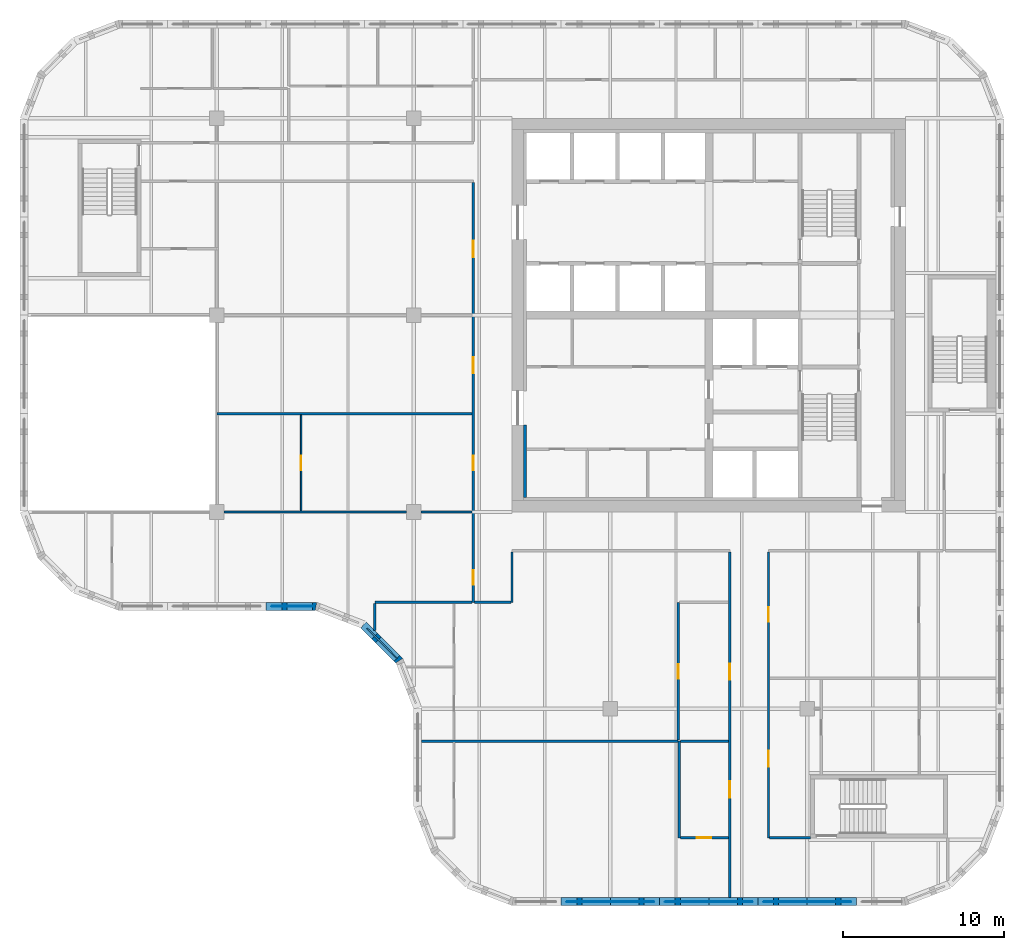
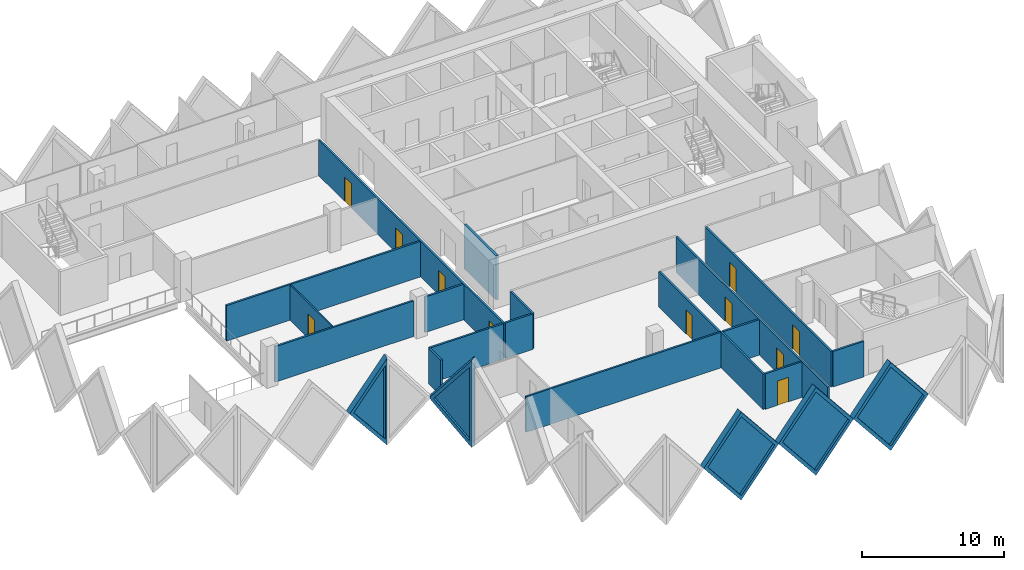
# One storey, part 4 of 12: 23 walls, 11 doors, 5 plates, 16 openings.
"""IFC4 building model written with IfcOpenShell, lengths in metres."""

from ifc_helpers import new_model, si_unit, direction, frame, frame_2d, origin, place, context, subcontext, project, spatial, polyline, rectangle, outline, extrude, faceted_brep, source, transform, mapped, material, layer, layer_set, type_object, element, fill, save


model = new_model("IFC4")

# Units and contexts
model_context = context("Model", 3, precision=1e-05, world=origin(), true_north=direction((0.0, 1.0)))
body_context = subcontext(model_context, "Body", "Model", "MODEL_VIEW")
ifc_project = project(units=[si_unit("LENGTHUNIT", "METRE"), si_unit("AREAUNIT", "SQUARE_METRE"), si_unit("VOLUMEUNIT", "CUBIC_METRE"), si_unit("PLANEANGLEUNIT", "RADIAN"), si_unit("MASSUNIT", "GRAM", prefix="KILO")], contexts=[model_context])

# Site, building, storey
site_placement = place(None, origin())
site = spatial("IfcSite", under=ifc_project, at=site_placement, CompositionType="ELEMENT")
building_placement = place(site_placement, origin())
building = spatial("IfcBuilding", under=site, at=building_placement, Name="Tessera Gate Towers", CompositionType="ELEMENT")
storey_placement = place(building_placement, frame((0.0, 0.0, 143.0)))
storey = spatial("IfcBuildingStorey", under=building, at=storey_placement, Name="L35", CompositionType="ELEMENT", Elevation=143.0)

# Wall
ifc_material_1 = material(Name="Concrete C60/75", Category="concrete")
ifc_layer_1 = layer(ifc_material_1, 0.199951171875)
ifc_layer_set_1 = layer_set([ifc_layer_1], Name="CORE WALL THICKENING 200")
wall_type_1 = type_object("IfcWallType", Name="CORE WALL THICKENING 200", PredefinedType="SOLIDWALL", material=ifc_layer_set_1)
wall_1_placement = place(storey_placement, frame((31.300048828125, 25.300048828125, 0.0), z_axis=(0.0, 0.0, 1.0), x_axis=(0.0, 1.0, 0.0)))
element("IfcWall", 1, at=wall_1_placement, inside=storey, type_object=wall_type_1, Name="Core wall thickening W L35", PredefinedType="SOLIDWALL", context=body_context, shape_type="SweptSolid", body=[
    extrude(rectangle(XDim=4.5, YDim=0.199951171875, at=frame_2d((2.25, 0.0))), origin(), (0.0, 0.0, 1.0), 3.800048828125),
])

# Wall, openings, doors
ifc_material_2 = material(Name="Gypsum board on steel studs, mineral wool", Category="steel")
ifc_layer_2 = layer(ifc_material_2, 0.14990234375)
ifc_layer_set_2 = layer_set([ifc_layer_2], Name="CORRIDOR WALL 150")
wall_type_2 = type_object("IfcWallType", Name="CORRIDOR WALL 150", PredefinedType="PARTITIONING", material=ifc_layer_set_2)
wall_2_placement = place(storey_placement, frame((44.0, 0.5, 0.0), z_axis=(0.0, 0.0, 1.0), x_axis=(0.0, 1.0, 0.0)))
wall_2 = element("IfcWall", 2, at=wall_2_placement, inside=storey, type_object=wall_type_2, Name="T1-L35-PW-001", PredefinedType="PARTITIONING", context=body_context, shape_type="SweptSolid", body=[
    extrude(rectangle(XDim=21.424072265625, YDim=0.14990234375, at=frame_2d((10.7119140625, 0.0))), origin(), (0.0, 0.0, 1.0), 3.06689453125),
])
shared_shape_1 = source(origin(), body_context, "Body", "SweptSolid", [
    extrude(rectangle(XDim=1.0, YDim=2.10009765625, at=frame_2d((0.5, 1.050048828125))), frame((0.0, 0.0849609375, 0.0), z_axis=(0.0, -1.0, 0.0), x_axis=(1.0, 0.0, 0.0)), (0.0, 0.0, 1.0), 0.169921875),
])
opening_1_placement = place(wall_2_placement, frame((6.199951171875, 0.0, 0.0)))
opening_1 = element("IfcOpeningElement", 3, at=opening_1_placement, cuts=wall_2, Name="Opening D2100FD60-A13-02", PredefinedType="OPENING", context=body_context, shape_type="MappedRepresentation", body=[
    mapped(shared_shape_1, transform((0.0, 0.0, 0.0), scale=1.0)),
])
opening_2_placement = place(wall_2_placement, frame((13.5, 0.0, 0.0)))
opening_2 = element("IfcOpeningElement", 4, at=opening_2_placement, cuts=wall_2, Name="Opening D2100FD60-A13-05", PredefinedType="OPENING", context=body_context, shape_type="MappedRepresentation", body=[
    mapped(shared_shape_1, transform((0.0, 0.0, 0.0), scale=1.0)),
])
ifc_material_3 = material(Name="Timber door leaf in steel frame", Category="steel")
door_type_1 = type_object("IfcDoorType", Name="TENANCY ENTRANCE DOOR 1000 FD60", OperationType="NOTDEFINED", PredefinedType="DOOR", material=ifc_material_3)
shared_shape_2 = source(origin(), body_context, "Body", "SweptSolid", [
    extrude(rectangle(XDim=1.0, YDim=2.10009765625, at=frame_2d((0.5, 1.050048828125))), frame((0.0, 0.02490234375, 0.0), z_axis=(0.0, -1.0, 0.0), x_axis=(1.0, 0.0, 0.0)), (0.0, 0.0, 1.0), 0.050048828125),
])
door_1_placement = place(opening_1_placement, origin())
door_1 = element("IfcDoor", 5, at=door_1_placement, inside=storey, type_object=door_type_1, Name="T1-L35-PD-014", OperationType="SINGLE_SWING_LEFT", OverallHeight=2.10009765625, OverallWidth=1.0, PredefinedType="DOOR", context=body_context, shape_type="MappedRepresentation", body=[
    mapped(shared_shape_2, transform((0.0, 0.0, 0.0), scale=1.0)),
])
fill(opening_1, door_1)
door_2_placement = place(opening_2_placement, origin())
door_2 = element("IfcDoor", 6, at=door_2_placement, inside=storey, type_object=door_type_1, Name="T1-L35-PD-022", OperationType="SINGLE_SWING_LEFT", OverallHeight=2.10009765625, OverallWidth=1.0, PredefinedType="DOOR", context=body_context, shape_type="MappedRepresentation", body=[
    mapped(shared_shape_2, transform((0.0, 0.0, 0.0), scale=1.0)),
])
fill(opening_2, door_2)

wall_3_placement = place(storey_placement, frame((46.39990234375, 21.924072265625, 0.0), z_axis=(0.0, 0.0, 1.0), x_axis=(0.0, -1.0, 0.0)))
wall_3 = element("IfcWall", 7, at=wall_3_placement, inside=storey, type_object=wall_type_2, Name="T1-L35-PW-007", PredefinedType="PARTITIONING", context=body_context, shape_type="SweptSolid", body=[
    extrude(rectangle(XDim=17.72412109375, YDim=0.14990234375, at=frame_2d((8.862060546875, 0.0))), origin(), (0.0, 0.0, 1.0), 3.06689453125),
])
shared_shape_3 = source(origin(), body_context, "Body", "SweptSolid", [
    extrude(rectangle(XDim=0.89990234375, YDim=2.10009765625, at=frame_2d((0.449951171875, 1.050048828125))), frame((0.0, 0.0849609375, 0.0), z_axis=(0.0, -1.0, 0.0), x_axis=(1.0, 0.0, 0.0)), (0.0, 0.0, 1.0), 0.169921875),
])
opening_3_placement = place(wall_3_placement, frame((3.423095703125, 0.0, 0.0)))
opening_3 = element("IfcOpeningElement", 8, at=opening_3_placement, cuts=wall_3, Name="Opening D890FD60-A13-03", PredefinedType="OPENING", context=body_context, shape_type="MappedRepresentation", body=[
    mapped(shared_shape_3, transform((0.0, 0.0, 0.0), scale=1.0)),
])
opening_4_placement = place(wall_3_placement, frame((12.323974609375, 0.0, 0.0)))
opening_4 = element("IfcOpeningElement", 9, at=opening_4_placement, cuts=wall_3, Name="Opening D2100FD60-A13-06", PredefinedType="OPENING", context=body_context, shape_type="MappedRepresentation", body=[
    mapped(shared_shape_1, transform((0.0, 0.0, 0.0), scale=1.0)),
])
ifc_material_4 = material(Name="Timber door leaf in steel frame", Category="steel")
door_type_2 = type_object("IfcDoorType", Name="CORRIDOR DOOR 900 FD60", OperationType="NOTDEFINED", PredefinedType="DOOR", material=ifc_material_4)
shared_shape_4 = source(origin(), body_context, "Body", "SweptSolid", [
    extrude(rectangle(XDim=0.89990234375, YDim=2.10009765625, at=frame_2d((0.449951171875, 1.050048828125))), frame((0.0, 0.02490234375, 0.0), z_axis=(0.0, -1.0, 0.0), x_axis=(1.0, 0.0, 0.0)), (0.0, 0.0, 1.0), 0.050048828125),
])
door_3_placement = place(opening_3_placement, origin())
door_3 = element("IfcDoor", 10, at=door_3_placement, inside=storey, type_object=door_type_2, Name="T1-L35-PD-019", OperationType="SINGLE_SWING_RIGHT", OverallHeight=2.10009765625, OverallWidth=0.89990234375, PredefinedType="DOOR", context=body_context, shape_type="MappedRepresentation", body=[
    mapped(shared_shape_4, transform((0.0, 0.0, 0.0), scale=1.0)),
])
fill(opening_3, door_3)
door_4_placement = place(opening_4_placement, origin())
door_4 = element("IfcDoor", 11, at=door_4_placement, inside=storey, type_object=door_type_1, Name="T1-L35-PD-025", OperationType="SINGLE_SWING_RIGHT", OverallHeight=2.10009765625, OverallWidth=1.0, PredefinedType="DOOR", context=body_context, shape_type="MappedRepresentation", body=[
    mapped(shared_shape_2, transform((0.0, 0.0, 0.0), scale=1.0)),
])
fill(opening_4, door_4)

# Wall
wall_4_placement = place(storey_placement, frame((46.47607421875, 4.199951171875, 0.0), z_axis=(0.0, 0.0, 1.0), x_axis=(1.0, 0.0, 0.0)))
element("IfcWall", 12, at=wall_4_placement, inside=storey, type_object=wall_type_2, Name="T1-L35-PW-008", PredefinedType="PARTITIONING", context=body_context, shape_type="SweptSolid", body=[
    extrude(rectangle(XDim=2.52392578125, YDim=0.14990234375, at=frame_2d((1.261962890625, 0.0))), origin(), (0.0, 0.0, 1.0), 3.06689453125),
])

# Wall, openings, doors
wall_5_placement = place(storey_placement, frame((28.10009765625, 18.800048828125, 0.0), z_axis=(0.0, 0.0, 1.0), x_axis=(0.0, 1.0, 0.0)))
wall_5 = element("IfcWall", 13, at=wall_5_placement, inside=storey, type_object=wall_type_2, Name="T1-L35-PW-022", PredefinedType="PARTITIONING", context=body_context, shape_type="SweptSolid", body=[
    extrude(rectangle(XDim=26.02392578125, YDim=0.14990234375, at=frame_2d((13.011962890625, 0.0))), origin(), (0.0, 0.0, 1.0), 3.06689453125),
])
opening_5_placement = place(wall_5_placement, frame((1.10009765625, 0.0, 0.0)))
opening_5 = element("IfcOpeningElement", 14, at=opening_5_placement, cuts=wall_5, Name="Opening D890FD60-A13-01", PredefinedType="OPENING", context=body_context, shape_type="MappedRepresentation", body=[
    mapped(shared_shape_3, transform((0.0, 0.0, 0.0), scale=1.0)),
])
opening_6_placement = place(wall_5_placement, frame((14.200927734375, 0.0, 0.0)))
opening_6 = element("IfcOpeningElement", 15, at=opening_6_placement, cuts=wall_5, Name="Opening D2100FD60-A13-03", PredefinedType="OPENING", context=body_context, shape_type="MappedRepresentation", body=[
    mapped(shared_shape_1, transform((0.0, 0.0, 0.0), scale=1.0)),
])
opening_7_placement = place(wall_5_placement, frame((8.199951171875, 0.0, 0.0)))
opening_7 = element("IfcOpeningElement", 16, at=opening_7_placement, cuts=wall_5, Name="Opening D890FD60-A13-02", PredefinedType="OPENING", context=body_context, shape_type="MappedRepresentation", body=[
    mapped(shared_shape_3, transform((0.0, 0.0, 0.0), scale=1.0)),
])
opening_8_placement = place(wall_5_placement, frame((21.39990234375, 0.0, 0.0)))
opening_8 = element("IfcOpeningElement", 17, at=opening_8_placement, cuts=wall_5, Name="Opening D2100FD60-A13-04", PredefinedType="OPENING", context=body_context, shape_type="MappedRepresentation", body=[
    mapped(shared_shape_1, transform((0.0, 0.0, 0.0), scale=1.0)),
])
door_5_placement = place(opening_5_placement, origin())
door_5 = element("IfcDoor", 18, at=door_5_placement, inside=storey, type_object=door_type_2, Name="T1-L35-PD-001", OperationType="SINGLE_SWING_LEFT", OverallHeight=2.10009765625, OverallWidth=0.89990234375, PredefinedType="DOOR", context=body_context, shape_type="MappedRepresentation", body=[
    mapped(shared_shape_4, transform((0.0, 0.0, 0.0), scale=1.0)),
])
fill(opening_5, door_5)
door_6_placement = place(opening_7_placement, origin())
door_6 = element("IfcDoor", 19, at=door_6_placement, inside=storey, type_object=door_type_2, Name="T1-L35-PD-016", OperationType="SINGLE_SWING_LEFT", OverallHeight=2.10009765625, OverallWidth=0.89990234375, PredefinedType="DOOR", context=body_context, shape_type="MappedRepresentation", body=[
    mapped(shared_shape_4, transform((0.0, 0.0, 0.0), scale=1.0)),
])
fill(opening_7, door_6)
door_7_placement = place(opening_6_placement, origin())
door_7 = element("IfcDoor", 20, at=door_7_placement, inside=storey, type_object=door_type_1, Name="T1-L35-PD-015", OperationType="SINGLE_SWING_LEFT", OverallHeight=2.10009765625, OverallWidth=1.0, PredefinedType="DOOR", context=body_context, shape_type="MappedRepresentation", body=[
    mapped(shared_shape_2, transform((0.0, 0.0, 0.0), scale=1.0)),
])
fill(opening_6, door_7)
door_8_placement = place(opening_8_placement, origin())
door_8 = element("IfcDoor", 21, at=door_8_placement, inside=storey, type_object=door_type_1, Name="T1-L35-PD-020", OperationType="SINGLE_SWING_LEFT", OverallHeight=2.10009765625, OverallWidth=1.0, PredefinedType="DOOR", context=body_context, shape_type="MappedRepresentation", body=[
    mapped(shared_shape_2, transform((0.0, 0.0, 0.0), scale=1.0)),
])
fill(opening_8, door_8)

# Walls
wall_6_placement = place(storey_placement, frame((28.176025390625, 18.800048828125, 0.0), z_axis=(0.0, 0.0, 1.0), x_axis=(1.0, 0.0, 0.0)))
element("IfcWall", 22, at=wall_6_placement, inside=storey, type_object=wall_type_2, Name="T1-L35-PW-023", PredefinedType="PARTITIONING", context=body_context, shape_type="SweptSolid", body=[
    extrude(rectangle(XDim=2.248046875, YDim=0.14990234375, at=frame_2d((1.1240234375, 0.0))), origin(), (0.0, 0.0, 1.0), 3.06689453125),
])
wall_7_placement = place(storey_placement, frame((30.5, 18.800048828125, 0.0), z_axis=(0.0, 0.0, 1.0), x_axis=(0.0, 1.0, 0.0)))
element("IfcWall", 23, at=wall_7_placement, inside=storey, type_object=wall_type_2, Name="T1-L35-PW-024", PredefinedType="PARTITIONING", context=body_context, shape_type="SweptSolid", body=[
    extrude(rectangle(XDim=3.1240234375, YDim=0.14990234375, at=frame_2d((1.56201171875, 0.0))), origin(), (0.0, 0.0, 1.0), 3.06689453125),
])

# Wall, opening, door
ifc_material_5 = material(Name="Gypsum board on steel studs", Category="steel")
ifc_layer_3 = layer(ifc_material_5, 0.10009765625)
ifc_layer_set_3 = layer_set([ifc_layer_3], Name="PARTITION 100")
wall_type_3 = type_object("IfcWallType", Name="PARTITION 100", PredefinedType="PARTITIONING", material=ifc_layer_set_3)
wall_8_placement = place(storey_placement, frame((17.425048828125, 24.47607421875, 0.0), z_axis=(0.0, 0.0, 1.0), x_axis=(0.0, 1.0, 0.0)))
wall_8 = element("IfcWall", 24, at=wall_8_placement, inside=storey, type_object=wall_type_3, Name="T1-L35-PW-033", PredefinedType="PARTITIONING", context=body_context, shape_type="SweptSolid", body=[
    extrude(rectangle(XDim=5.947998046875, YDim=0.10009765625, at=frame_2d((2.97412109375, 0.0))), origin(), (0.0, 0.0, 1.0), 3.06689453125),
])
shared_shape_5 = source(origin(), body_context, "Body", "SweptSolid", [
    extrude(rectangle(XDim=0.89990234375, YDim=2.10009765625, at=frame_2d((0.449951171875, 1.050048828125))), frame((0.0, 0.06005859375, 0.0), z_axis=(0.0, -1.0, 0.0), x_axis=(1.0, 0.0, 0.0)), (0.0, 0.0, 1.0), 0.1201171875),
])
opening_9_placement = place(wall_8_placement, frame((2.5, 0.0, 0.0)))
opening_9 = element("IfcOpeningElement", 25, at=opening_9_placement, cuts=wall_8, Name="Opening D190-A13-08", PredefinedType="OPENING", context=body_context, shape_type="MappedRepresentation", body=[
    mapped(shared_shape_5, transform((0.0, 0.0, 0.0), scale=1.0)),
])
ifc_material_6 = material(Name="Timber door leaf in steel frame", Category="steel")
door_type_3 = type_object("IfcDoorType", Name="INTERNAL DOOR 900 NOT RATED", OperationType="NOTDEFINED", PredefinedType="DOOR", material=ifc_material_6)
door_9_placement = place(opening_9_placement, origin())
door_9 = element("IfcDoor", 26, at=door_9_placement, inside=storey, type_object=door_type_3, Name="T1-L35-PD-013", OperationType="SINGLE_SWING_LEFT", OverallHeight=2.10009765625, OverallWidth=0.89990234375, PredefinedType="DOOR", context=body_context, shape_type="MappedRepresentation", body=[
    mapped(shared_shape_4, transform((0.0, 0.0, 0.0), scale=1.0)),
])
fill(opening_9, door_9)

# Wall
ifc_material_7 = material(Name="Gypsum board on steel studs, mineral wool", Category="steel")
ifc_layer_4 = layer(ifc_material_7, 0.14990234375)
ifc_layer_set_4 = layer_set([ifc_layer_4], Name="TENANCY WALL 150")
wall_type_4 = type_object("IfcWallType", Name="TENANCY WALL 150", PredefinedType="PARTITIONING", material=ifc_layer_set_4)
wall_9_placement = place(storey_placement, frame((40.875, 4.199951171875, 0.0), z_axis=(0.0, 0.0, 1.0), x_axis=(0.0, 1.0, 0.0)))
element("IfcWall", 27, at=wall_9_placement, inside=storey, type_object=wall_type_4, Name="T1-L35-PW-005", PredefinedType="PARTITIONING", context=body_context, shape_type="SweptSolid", body=[
    extrude(rectangle(XDim=6.0, YDim=0.14990234375, at=frame_2d((3.0, 0.0))), origin(), (0.0, 0.0, 1.0), 3.06689453125),
])

# Wall, opening, door
wall_10_placement = place(storey_placement, frame((43.924072265625, 4.199951171875, 0.0), z_axis=(0.0, 0.0, 1.0), x_axis=(-1.0, 0.0, 0.0)))
wall_10 = element("IfcWall", 28, at=wall_10_placement, inside=storey, type_object=wall_type_4, Name="T1-L35-PW-006", PredefinedType="PARTITIONING", context=body_context, shape_type="SweptSolid", body=[
    extrude(rectangle(XDim=2.97314453125, YDim=0.14990234375, at=frame_2d((1.486572265625, 0.0))), origin(), (0.0, 0.0, 1.0), 3.06689453125),
])
opening_10_placement = place(wall_10_placement, frame((1.072998046875, 0.0, 0.0)))
opening_10 = element("IfcOpeningElement", 29, at=opening_10_placement, cuts=wall_10, Name="Opening D190-A13-10", PredefinedType="OPENING", context=body_context, shape_type="MappedRepresentation", body=[
    mapped(shared_shape_3, transform((0.0, 0.0, 0.0), scale=1.0)),
])
door_10_placement = place(opening_10_placement, origin())
door_10 = element("IfcDoor", 30, at=door_10_placement, inside=storey, type_object=door_type_3, Name="T1-L35-PD-023", OperationType="SINGLE_SWING_RIGHT", OverallHeight=2.10009765625, OverallWidth=0.89990234375, PredefinedType="DOOR", context=body_context, shape_type="MappedRepresentation", body=[
    mapped(shared_shape_4, transform((0.0, 0.0, 0.0), scale=1.0)),
])
fill(opening_10, door_10)

# Walls
wall_11_placement = place(storey_placement, frame((24.89990234375, 10.199951171875, 0.0), z_axis=(0.0, 0.0, 1.0), x_axis=(1.0, 0.0, 0.0)))
element("IfcWall", 31, at=wall_11_placement, inside=storey, type_object=wall_type_4, Name="T1-L35-PW-011", PredefinedType="PARTITIONING", context=body_context, shape_type="SweptSolid", body=[
    extrude(rectangle(XDim=15.900146484375, YDim=0.14990234375, at=frame_2d((7.9501953125, 0.0))), origin(), (0.0, 0.0, 1.0), 3.06689453125),
])
wall_12_placement = place(storey_placement, frame((40.950927734375, 10.199951171875, 0.0), z_axis=(0.0, 0.0, 1.0), x_axis=(1.0, 0.0, 0.0)))
element("IfcWall", 32, at=wall_12_placement, inside=storey, type_object=wall_type_4, Name="T1-L35-PW-012", PredefinedType="PARTITIONING", context=body_context, shape_type="SweptSolid", body=[
    extrude(rectangle(XDim=2.97314453125, YDim=0.14990234375, at=frame_2d((1.486572265625, 0.0))), origin(), (0.0, 0.0, 1.0), 3.06689453125),
])

# Wall, opening, door
wall_13_placement = place(storey_placement, frame((40.800048828125, 10.27587890625, 0.0), z_axis=(0.0, 0.0, 1.0), x_axis=(0.0, 1.0, 0.0)))
wall_13 = element("IfcWall", 33, at=wall_13_placement, inside=storey, type_object=wall_type_4, Name="T1-L35-PW-014", PredefinedType="PARTITIONING", context=body_context, shape_type="SweptSolid", body=[
    extrude(rectangle(XDim=8.524169921875, YDim=0.14990234375, at=frame_2d((4.26220703125, 0.0))), origin(), (0.0, 0.0, 1.0), 3.06689453125),
])
opening_11_placement = place(wall_13_placement, frame((3.800048828125, 0.0, 0.0)))
opening_11 = element("IfcOpeningElement", 34, at=opening_11_placement, cuts=wall_13, Name="Opening D190-A13-11", PredefinedType="OPENING", context=body_context, shape_type="MappedRepresentation", body=[
    mapped(shared_shape_3, transform((0.0, 0.0, 0.0), scale=1.0)),
])
door_11_placement = place(opening_11_placement, origin())
door_11 = element("IfcDoor", 35, at=door_11_placement, inside=storey, type_object=door_type_3, Name="T1-L35-PD-027", OperationType="SINGLE_SWING_LEFT", OverallHeight=2.10009765625, OverallWidth=0.89990234375, PredefinedType="DOOR", context=body_context, shape_type="MappedRepresentation", body=[
    mapped(shared_shape_4, transform((0.0, 0.0, 0.0), scale=1.0)),
])
fill(opening_11, door_11)

# Walls
wall_14_placement = place(storey_placement, frame((22.0, 17.054931640625, 0.0), z_axis=(0.0, 0.0, 1.0), x_axis=(0.0, 1.0, 0.0)))
element("IfcWall", 36, at=wall_14_placement, inside=storey, type_object=wall_type_4, Name="T1-L35-PW-020", PredefinedType="PARTITIONING", context=body_context, shape_type="SweptSolid", body=[
    extrude(rectangle(XDim=1.669189453125, YDim=0.14990234375, at=frame_2d((0.83447265625, 0.0))), origin(), (0.0, 0.0, 1.0), 3.06689453125),
])
wall_15_placement = place(storey_placement, frame((22.0, 18.800048828125, 0.0), z_axis=(0.0, 0.0, 1.0), x_axis=(1.0, 0.0, 0.0)))
element("IfcWall", 37, at=wall_15_placement, inside=storey, type_object=wall_type_4, Name="T1-L35-PW-021", PredefinedType="PARTITIONING", context=body_context, shape_type="SweptSolid", body=[
    extrude(rectangle(XDim=6.02392578125, YDim=0.14990234375, at=frame_2d((3.011962890625, 0.0))), origin(), (0.0, 0.0, 1.0), 3.06689453125),
])
wall_16_placement = place(storey_placement, frame((12.65087890625, 24.39990234375, 0.0), z_axis=(0.0, 0.0, 1.0), x_axis=(1.0, 0.0, 0.0)))
element("IfcWall", 38, at=wall_16_placement, inside=storey, type_object=wall_type_4, Name="T1-L35-PW-031", PredefinedType="PARTITIONING", context=body_context, shape_type="SweptSolid", body=[
    extrude(rectangle(XDim=11.298095703125, YDim=0.14990234375, at=frame_2d((5.64892578125, 0.0))), origin(), (0.0, 0.0, 1.0), 3.06689453125),
])
wall_17_placement = place(storey_placement, frame((24.85107421875, 24.39990234375, 0.0), z_axis=(0.0, 0.0, 1.0), x_axis=(1.0, 0.0, 0.0)))
element("IfcWall", 39, at=wall_17_placement, inside=storey, type_object=wall_type_4, Name="T1-L35-PW-032", PredefinedType="PARTITIONING", context=body_context, shape_type="SweptSolid", body=[
    extrude(rectangle(XDim=3.1728515625, YDim=0.14990234375, at=frame_2d((1.58642578125, 0.0))), origin(), (0.0, 0.0, 1.0), 3.06689453125),
])
wall_18_placement = place(storey_placement, frame((12.199951171875, 30.5, 0.0), z_axis=(0.0, 0.0, 1.0), x_axis=(1.0, 0.0, 0.0)))
element("IfcWall", 40, at=wall_18_placement, inside=storey, type_object=wall_type_4, Name="T1-L35-PW-034", PredefinedType="PARTITIONING", context=body_context, shape_type="SweptSolid", body=[
    extrude(rectangle(XDim=15.823974609375, YDim=0.14990234375, at=frame_2d((7.912109375, 0.0))), origin(), (0.0, 0.0, 1.0), 3.06689453125),
])

# Wall, opening, plate
ifc_material_8 = material(Name="Precast concrete C60/75 white", Category="concrete")
ifc_layer_5 = layer(ifc_material_8, 0.5)
ifc_layer_set_5 = layer_set([ifc_layer_5], Name="TS1 tessera")
wall_type_5 = type_object("IfcWallType", Name="TS1 tessera", PredefinedType="SOLIDWALL", material=ifc_layer_set_5)
shared_shape_6 = source(origin(), body_context, "Body", "Brep", [
    faceted_brep([(3.050048828125, -0.25, 0.0), (6.099853515625, -0.25, 3.7998046875), (6.099853515625, -0.25, 3.80029296875), (3.050048828125, -0.25, 7.60009765625), (0.0, -0.25, 3.800048828125), (0.0, 0.25, 3.800048828125), (3.050048828125, 0.25, 7.60009765625), (6.099853515625, 0.25, 3.80029296875), (6.099853515625, 0.25, 3.7998046875), (3.050048828125, 0.25, 0.0)], [[[0, 1, 2, 3, 4]], [[5, 6, 7, 8, 9]], [[9, 8, 1, 0]], [[7, 6, 3, 2]], [[6, 5, 4, 3]], [[5, 9, 0, 4]], [[1, 8, 7, 2]]]),
])
wall_19_placement = place(storey_placement, frame((33.550048828125, 0.25, -3.800048828125), z_axis=(0.0, 0.0, 1.0), x_axis=(1.0, 0.0, 0.0)))
wall_19 = element("IfcWall", 41, at=wall_19_placement, inside=storey, type_object=wall_type_5, Name="Precast tessera T1 TS1-0598", PredefinedType="SOLIDWALL", context=body_context, shape_type="MappedRepresentation", body=[
    mapped(shared_shape_6, transform((0.0, 0.0, 0.0), scale=1.0)),
])
shared_shape_7 = source(origin(), body_context, "Body", "SweptSolid", [
    extrude(outline(polyline([(3.050048828125, 0.3994140625), (5.779541015625, 3.800048828125), (3.050048828125, 7.20068359375), (0.320556640625, 3.800048828125), (3.050048828125, 0.3994140625)])), frame((0.0, 0.260009765625, 0.0), z_axis=(0.0, -1.0, 0.0), x_axis=(1.0, 0.0, 0.0)), (0.0, 0.0, 1.0), 0.52001953125),
])
opening_12_placement = place(wall_19_placement, origin())
opening_12 = element("IfcOpeningElement", 42, at=opening_12_placement, cuts=wall_19, Name="Opening T1-PL2-1224", PredefinedType="OPENING", context=body_context, shape_type="MappedRepresentation", body=[
    mapped(shared_shape_7, transform((0.0, 0.0, 0.0), scale=1.0)),
])
ifc_material_9 = material(Name="Low-e laminated glass", Category="glass")
ifc_layer_6 = layer(ifc_material_9, 0.06005859375)
ifc_layer_set_6 = layer_set([ifc_layer_6], Name="PL2 rhombic pane")
plate_type = type_object("IfcPlateType", Name="PL2 rhombic pane", PredefinedType="SHEET", material=ifc_layer_set_6)
shared_shape_8 = source(origin(), body_context, "Body", "SweptSolid", [
    extrude(outline(polyline([(3.050048828125, 0.3994140625), (5.779541015625, 3.800048828125), (3.050048828125, 7.20068359375), (0.320556640625, 3.800048828125), (3.050048828125, 0.3994140625)])), frame((0.0, 0.030029296875, 0.0), z_axis=(0.0, -1.0, 0.0), x_axis=(1.0, 0.0, 0.0)), (0.0, 0.0, 1.0), 0.06005859375),
])
plate_1_placement = place(opening_12_placement, origin())
plate_1 = element("IfcPlate", 43, at=plate_1_placement, inside=storey, type_object=plate_type, Name="Glass pane T1 PL2-1224", PredefinedType="SHEET", context=body_context, shape_type="MappedRepresentation", body=[
    mapped(shared_shape_8, transform((0.0, 0.0, 0.0), scale=1.0)),
])
fill(opening_12, plate_1)

shared_shape_9 = source(origin(), body_context, "Body", "SweptSolid", [
    extrude(outline(polyline([(3.050048828125, 0.0), (6.10009765625, 3.800048828125), (3.050048828125, 7.60009765625), (0.0, 3.800048828125), (3.050048828125, 0.0)])), frame((0.0, 0.25, 0.0), z_axis=(0.0, -1.0, 0.0), x_axis=(1.0, 0.0, 0.0)), (0.0, 0.0, 1.0), 0.5),
])
wall_20_placement = place(storey_placement, frame((39.64990234375, 0.25, -3.800048828125), z_axis=(0.0, 0.0, 1.0), x_axis=(1.0, 0.0, 0.0)))
wall_20 = element("IfcWall", 44, at=wall_20_placement, inside=storey, type_object=wall_type_5, Name="Precast tessera T1 TS1-0599", PredefinedType="SOLIDWALL", context=body_context, shape_type="MappedRepresentation", body=[
    mapped(shared_shape_9, transform((0.0, 0.0, 0.0), scale=1.0)),
])
opening_13_placement = place(wall_20_placement, origin())
opening_13 = element("IfcOpeningElement", 45, at=opening_13_placement, cuts=wall_20, Name="Opening T1-PL2-1225", PredefinedType="OPENING", context=body_context, shape_type="MappedRepresentation", body=[
    mapped(shared_shape_7, transform((0.0, 0.0, 0.0), scale=1.0)),
])
plate_2_placement = place(opening_13_placement, origin())
plate_2 = element("IfcPlate", 46, at=plate_2_placement, inside=storey, type_object=plate_type, Name="Glass pane T1 PL2-1225", PredefinedType="SHEET", context=body_context, shape_type="MappedRepresentation", body=[
    mapped(shared_shape_8, transform((0.0, 0.0, 0.0), scale=1.0)),
])
fill(opening_13, plate_2)

wall_21_placement = place(storey_placement, frame((45.75, 0.25, -3.800048828125), z_axis=(0.0, 0.0, 1.0), x_axis=(1.0, 0.0, 0.0)))
wall_21 = element("IfcWall", 47, at=wall_21_placement, inside=storey, type_object=wall_type_5, Name="Precast tessera T1 TS1-0600", PredefinedType="SOLIDWALL", context=body_context, shape_type="MappedRepresentation", body=[
    mapped(shared_shape_9, transform((0.0, 0.0, 0.0), scale=1.0)),
])
opening_14_placement = place(wall_21_placement, origin())
opening_14 = element("IfcOpeningElement", 48, at=opening_14_placement, cuts=wall_21, Name="Opening T1-PL2-1226", PredefinedType="OPENING", context=body_context, shape_type="MappedRepresentation", body=[
    mapped(shared_shape_7, transform((0.0, 0.0, 0.0), scale=1.0)),
])
plate_3_placement = place(opening_14_placement, origin())
plate_3 = element("IfcPlate", 49, at=plate_3_placement, inside=storey, type_object=plate_type, Name="Glass pane T1 PL2-1226", PredefinedType="SHEET", context=body_context, shape_type="MappedRepresentation", body=[
    mapped(shared_shape_8, transform((0.0, 0.0, 0.0), scale=1.0)),
])
fill(opening_14, plate_3)

ifc_material_10 = material(Name="Precast concrete C60/75 white", Category="concrete")
ifc_layer_7 = layer(ifc_material_10, 0.5)
ifc_layer_set_7 = layer_set([ifc_layer_7], Name="TS3 corner tessera")
wall_type_6 = type_object("IfcWallType", Name="TS3 corner tessera", PredefinedType="SOLIDWALL", material=ifc_layer_set_7)
shared_shape_10 = source(origin(), body_context, "Body", "Brep", [
    faceted_brep([(3.050048828125, -0.25, 7.543212890625), (0.0, -0.25, 3.800048828125), (3.050048828125, -0.25, 0.056884765625), (0.0, 0.25, 3.800048828125), (3.096435546875, 0.25, 7.60009765625), (3.14306640625, 0.25, 7.543701171875), (3.14306640625, 0.25, 0.056396484375), (3.096435546875, 0.25, 0.0), (3.096435546875, -0.00048828125, 0.0), (3.096435546875, -0.00048828125, 7.60009765625)], [[[0, 1, 2]], [[3, 4, 5, 6, 7]], [[7, 6, 8]], [[5, 4, 9]], [[4, 3, 1, 0, 9]], [[3, 7, 8, 2, 1]], [[2, 8, 6, 5, 9, 0]]]),
])
wall_22_placement = place(storey_placement, frame((15.25, 18.550048828125, -3.800048828125), z_axis=(0.0, 0.0, 1.0), x_axis=(1.0, 0.0, 0.0)))
wall_22 = element("IfcWall", 50, at=wall_22_placement, inside=storey, type_object=wall_type_6, Name="Precast corner tessera T1 TS3-0811", PredefinedType="SOLIDWALL", context=body_context, shape_type="MappedRepresentation", body=[
    mapped(shared_shape_10, transform((0.0, 0.0, 0.0), scale=1.0)),
])
shared_shape_11 = source(origin(), body_context, "Body", "SweptSolid", [
    extrude(outline(polyline([(2.896484375, 6.958740234375), (0.322509765625, 3.800048828125), (2.896484375, 0.641357421875), (2.896484375, 6.958740234375)])), frame((0.0, 0.260009765625, 0.0), z_axis=(0.0, -1.0, 0.0), x_axis=(1.0, 0.0, 0.0)), (0.0, 0.0, 1.0), 0.52001953125),
])
opening_15_placement = place(wall_22_placement, origin())
opening_15 = element("IfcOpeningElement", 51, at=opening_15_placement, cuts=wall_22, Name="Opening T1-PL2-1262", PredefinedType="OPENING", context=body_context, shape_type="MappedRepresentation", body=[
    mapped(shared_shape_11, transform((0.0, 0.0, 0.0), scale=1.0)),
])
shared_shape_12 = source(origin(), body_context, "Body", "SweptSolid", [
    extrude(outline(polyline([(2.896484375, 6.958740234375), (0.322509765625, 3.800048828125), (2.896484375, 0.641357421875), (2.896484375, 6.958740234375)])), frame((0.0, 0.030029296875, 0.0), z_axis=(0.0, -1.0, 0.0), x_axis=(1.0, 0.0, 0.0)), (0.0, 0.0, 1.0), 0.06005859375),
])
plate_4_placement = place(opening_15_placement, origin())
plate_4 = element("IfcPlate", 52, at=plate_4_placement, inside=storey, type_object=plate_type, Name="Glass pane T1 PL2-1262", PredefinedType="SHEET", context=body_context, shape_type="MappedRepresentation", body=[
    mapped(shared_shape_12, transform((0.0, 0.0, 0.0), scale=1.0)),
])
fill(opening_15, plate_4)

shared_shape_13 = source(origin(), body_context, "Body", "Brep", [
    faceted_brep([(3.10302734375, -0.25, 7.536376953125), (0.052978515625, -0.25, 3.86376953125), (0.052978515625, -0.25, 3.736328125), (3.10302734375, -0.25, 0.063720703125), (0.0, 0.25, 3.800048828125), (3.15576171875, 0.25, 7.60009765625), (3.208740234375, 0.25, 7.5361328125), (3.208740234375, 0.25, 0.06396484375), (3.15576171875, 0.25, 0.0), (3.15576171875, -0.00048828125, 0.0), (3.15576171875, -0.00048828125, 7.60009765625), (0.0, 0.0, 3.800048828125)], [[[0, 1, 2, 3]], [[4, 5, 6, 7, 8]], [[8, 7, 9]], [[6, 5, 10]], [[5, 4, 11, 1, 0, 10]], [[4, 8, 9, 3, 2, 11]], [[11, 2, 1]], [[3, 9, 7, 6, 10, 0]]]),
])
wall_23_placement = place(storey_placement, frame((21.284912109375, 17.41650390625, -3.800048828125), z_axis=(0.0, 0.0, 1.0), x_axis=(0.707106781187, -0.707106781187, 0.0)))
wall_23 = element("IfcWall", 53, at=wall_23_placement, inside=storey, type_object=wall_type_6, Name="Precast corner tessera T1 TS3-0813", PredefinedType="SOLIDWALL", context=body_context, shape_type="MappedRepresentation", body=[
    mapped(shared_shape_13, transform((0.0, 0.0, 0.0), scale=1.0)),
])
shared_shape_14 = source(origin(), body_context, "Body", "SweptSolid", [
    extrude(outline(polyline([(2.955810546875, 6.968017578125), (0.324951171875, 3.800048828125), (2.955810546875, 0.632080078125), (2.955810546875, 6.968017578125)])), frame((0.0, 0.260009765625, 0.0), z_axis=(0.0, -1.0, 0.0), x_axis=(1.0, 0.0, 0.0)), (0.0, 0.0, 1.0), 0.52001953125),
])
opening_16_placement = place(wall_23_placement, origin())
opening_16 = element("IfcOpeningElement", 54, at=opening_16_placement, cuts=wall_23, Name="Opening T1-PL2-1264", PredefinedType="OPENING", context=body_context, shape_type="MappedRepresentation", body=[
    mapped(shared_shape_14, transform((0.0, 0.0, 0.0), scale=1.0)),
])
shared_shape_15 = source(origin(), body_context, "Body", "SweptSolid", [
    extrude(outline(polyline([(2.955810546875, 6.968017578125), (0.324951171875, 3.800048828125), (2.955810546875, 0.632080078125), (2.955810546875, 6.968017578125)])), frame((0.0, 0.030029296875, 0.0), z_axis=(0.0, -1.0, 0.0), x_axis=(1.0, 0.0, 0.0)), (0.0, 0.0, 1.0), 0.06005859375),
])
plate_5_placement = place(opening_16_placement, origin())
plate_5 = element("IfcPlate", 55, at=plate_5_placement, inside=storey, type_object=plate_type, Name="Glass pane T1 PL2-1264", PredefinedType="SHEET", context=body_context, shape_type="MappedRepresentation", body=[
    mapped(shared_shape_15, transform((0.0, 0.0, 0.0), scale=1.0)),
])
fill(opening_16, plate_5)

save(model, "model.ifc")
